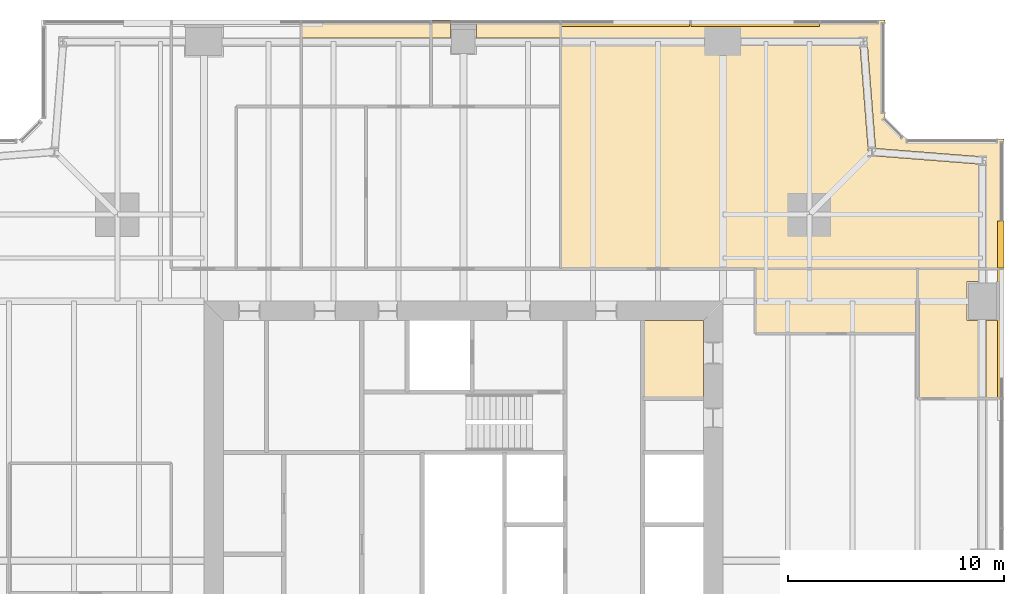
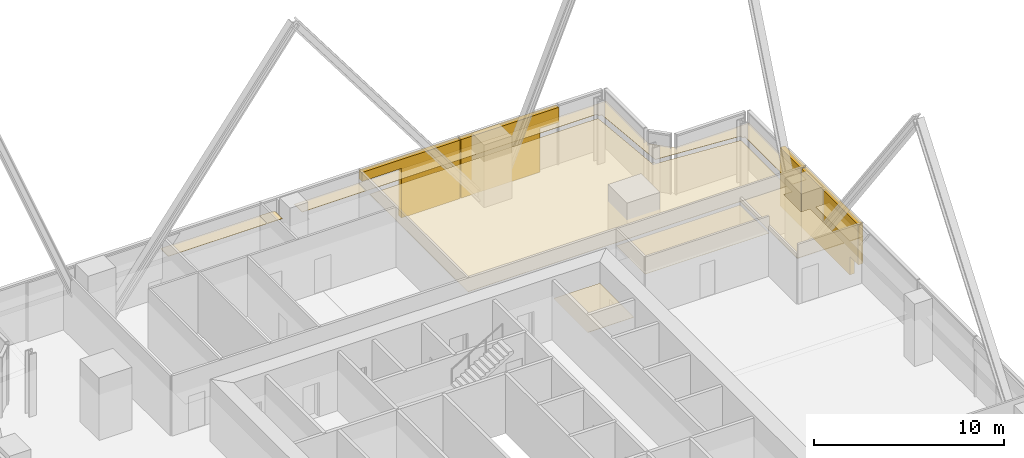
# One storey, part 13 of 13: 13 coverings.
"""IFC4 building model written with IfcOpenShell, lengths in metres."""

from ifc_helpers import new_model, si_unit, direction, frame, origin, place, context, subcontext, project, spatial, polyline, outline, extrude, material, layer, layer_set, type_object, element, save


model = new_model("IFC4")

# Units and contexts
model_context = context("Model", 3, precision=1e-05, world=origin(), true_north=direction((0.0, 1.0)))
body_context = subcontext(model_context, "Body", "Model", "MODEL_VIEW")
ifc_project = project(units=[si_unit("LENGTHUNIT", "METRE"), si_unit("AREAUNIT", "SQUARE_METRE"), si_unit("VOLUMEUNIT", "CUBIC_METRE"), si_unit("PLANEANGLEUNIT", "RADIAN"), si_unit("MASSUNIT", "GRAM", prefix="KILO")], contexts=[model_context])

# Site, building, storey
site_placement = place(None, origin())
site = spatial("IfcSite", under=ifc_project, at=site_placement, CompositionType="ELEMENT")
building_placement = place(site_placement, origin())
building = spatial("IfcBuilding", under=site, at=building_placement, Name="Fenwick Lantern Interchange", CompositionType="ELEMENT")
storey_placement = place(building_placement, frame((0.0, 0.0, 201.800048828125)))
storey = spatial("IfcBuildingStorey", under=building, at=storey_placement, Name="L47", CompositionType="ELEMENT", Elevation=201.800048828125)

# Coverings
ifc_material_1 = material(Name="Mineral fibre acoustic tile on suspended grid")
ifc_layer_1 = layer(ifc_material_1, 0.02001953125)
ifc_layer_set_1 = layer_set([ifc_layer_1], Name="ACOUSTIC TILE CEILING 20")
covering_type_1 = type_object("IfcCoveringType", Name="ACOUSTIC TILE CEILING 20", PredefinedType="CEILING", material=ifc_layer_set_1)
covering_1_placement = place(storey_placement, frame((0.0, 0.0, 2.89990234375)))
element("IfcCovering", 1, at=covering_1_placement, inside=storey, type_object=covering_type_1, Name="Meeting room ceiling", PredefinedType="CEILING", context=body_context, shape_type="SweptSolid", body=[
    extrude(outline(polyline([(46.0, 32.5), (48.82763671875, 32.5), (48.82763671875, 36.10009765625), (48.300048828125, 36.10009765625), (48.300048828125, 37.89990234375), (48.82763671875, 37.89990234375), (48.82763671875, 38.5), (46.0, 38.5), (46.0, 32.5)])), origin(), (0.0, 0.0, 1.0), 0.02001953125),
])
covering_2_placement = place(storey_placement, frame((0.0, 0.0, 2.89990234375)))
element("IfcCovering", 2, at=covering_2_placement, inside=storey, type_object=covering_type_1, Name="Meeting room ceiling", PredefinedType="CEILING", context=body_context, shape_type="SweptSolid", body=[
    extrude(outline(polyline([(49.17236328125, 32.5), (50.0, 32.5), (50.0, 36.10009765625), (49.17236328125, 36.10009765625), (49.17236328125, 32.5)])), origin(), (0.0, 0.0, 1.0), 0.02001953125),
])
covering_3_placement = place(storey_placement, frame((0.0, 0.0, 2.89990234375)))
element("IfcCovering", 3, at=covering_3_placement, inside=storey, type_object=covering_type_1, Name="Meeting room ceiling", PredefinedType="CEILING", context=body_context, shape_type="SweptSolid", body=[
    extrude(outline(polyline([(29.5, 49.17236328125), (29.5, 50.0), (25.60009765625, 50.0), (25.60009765625, 49.17236328125), (29.5, 49.17236328125)])), origin(), (0.0, 0.0, 1.0), 0.02001953125),
])
covering_4_placement = place(storey_placement, frame((0.0, 0.0, 2.89990234375)))
element("IfcCovering", 4, at=covering_4_placement, inside=storey, type_object=covering_type_1, Name="Meeting room ceiling", PredefinedType="CEILING", context=body_context, shape_type="SweptSolid", body=[
    extrude(outline(polyline([(23.5, 50.0), (23.5, 49.17236328125), (24.39990234375, 49.17236328125), (24.39990234375, 50.0), (23.5, 50.0)])), origin(), (0.0, 0.0, 1.0), 0.02001953125),
])
covering_5_placement = place(storey_placement, frame((0.0, 0.0, 2.89990234375)))
element("IfcCovering", 5, at=covering_5_placement, inside=storey, type_object=covering_type_1, Name="Meeting room ceiling", PredefinedType="CEILING", context=body_context, shape_type="SweptSolid", body=[
    extrude(outline(polyline([(17.5, 50.0), (17.5, 49.17236328125), (23.5, 49.17236328125), (23.5, 50.0), (17.5, 50.0)])), origin(), (0.0, 0.0, 1.0), 0.02001953125),
])
covering_6_placement = place(storey_placement, frame((0.0, 0.0, 2.89990234375)))
element("IfcCovering", 6, at=covering_6_placement, inside=storey, type_object=covering_type_1, Name="Open office ceiling", PredefinedType="CEILING", context=body_context, shape_type="SweptSolid", body=[
    extrude(outline(polyline([(29.5, 38.5), (48.82763671875, 38.5), (48.82763671875, 43.340576171875), (43.886474609375, 43.72802734375), (43.89990234375, 43.89990234375), (43.72802734375, 43.886474609375), (43.340576171875, 48.82763671875), (37.0, 48.82763671875), (29.5, 48.82763671875), (29.5, 38.5)])), origin(), (0.0, 0.0, 1.0), 0.02001953125),
])
covering_7_placement = place(storey_placement, frame((0.0, 0.0, 2.89990234375)))
element("IfcCovering", 7, at=covering_7_placement, inside=storey, type_object=covering_type_1, Name="Open office ceiling", PredefinedType="CEILING", context=body_context, shape_type="SweptSolid", body=[
    extrude(outline(polyline([(44.5, 50.0), (29.5, 50.0), (29.5, 49.17236328125), (37.0, 49.17236328125), (43.5, 49.17236328125), (43.5, 49.0), (43.671875, 49.013427734375), (44.060302734375, 44.060302734375), (49.013427734375, 43.671875), (49.0, 43.5), (49.17236328125, 43.5), (49.17236328125, 38.5), (50.0, 38.5), (50.0, 44.5), (45.5, 44.5), (44.5, 45.5), (44.5, 50.0)])), origin(), (0.0, 0.0, 1.0), 0.02001953125),
])
ifc_material_2 = material(Name="Granite cladding, warm grey flamed finish, on aluminium carrier frame", Category="masonry")
ifc_layer_2 = layer(ifc_material_2, 0.300048828125)
ifc_layer_set_2 = layer_set([ifc_layer_2], Name="BRACE CASING PANEL 300")
covering_type_2 = type_object("IfcCoveringType", Name="BRACE CASING PANEL 300", PredefinedType="CLADDING", material=ifc_layer_set_2)
covering_8_placement = place(storey_placement, frame((49.89990234375, 5.60009765625, 0.0), z_axis=(0.0, 0.0, 1.0), x_axis=(0.0, 1.0, 0.0)))
element("IfcCovering", 8, at=covering_8_placement, inside=storey, type_object=covering_type_2, Name="Brace casing 05 bay 05a", PredefinedType="CLADDING", context=body_context, shape_type="SweptSolid", body=[
    extrude(outline(polyline([(27.8125, 0.0), (32.867431640625, 0.0), (32.867431640625, 3.75), (26.9326171875, 3.75), (26.9326171875, 1.17724609375), (27.8125, 1.17724609375), (27.8125, 0.0)])), frame((0.0, 0.2001953125, 0.0), z_axis=(0.0, -1.0, 0.0), x_axis=(1.0, 0.0, 0.0)), (0.0, 0.0, 1.0), 0.300048828125),
])
covering_9_placement = place(storey_placement, frame((49.89990234375, 5.60009765625, 0.0), z_axis=(0.0, 0.0, 1.0), x_axis=(0.0, 1.0, 0.0)))
element("IfcCovering", 9, at=covering_9_placement, inside=storey, type_object=covering_type_2, Name="Brace casing 05 bay 06a", PredefinedType="CLADDING", context=body_context, shape_type="SweptSolid", body=[
    extrude(outline(polyline([(32.9326171875, 0.0), (35.11474609375, 0.0), (35.11474609375, 3.75), (32.9326171875, 3.75), (32.9326171875, 0.0)])), frame((0.0, 0.2001953125, 0.0), z_axis=(0.0, -1.0, 0.0), x_axis=(1.0, 0.0, 0.0)), (0.0, 0.0, 1.0), 0.300048828125),
])
covering_10_placement = place(storey_placement, frame((44.39990234375, 49.89990234375, 0.0), z_axis=(0.0, 0.0, 1.0), x_axis=(-1.0, 0.0, 0.0)))
element("IfcCovering", 10, at=covering_10_placement, inside=storey, type_object=covering_type_2, Name="Brace casing 09 bay 01a", PredefinedType="CLADDING", context=body_context, shape_type="SweptSolid", body=[
    extrude(outline(polyline([(4.072509765625, 0.0), (8.867431640625, 0.0), (8.867431640625, 3.75), (2.9326171875, 3.75), (2.9326171875, 2.80224609375), (4.072509765625, 2.80224609375), (4.072509765625, 0.0)])), frame((0.0, 0.2001953125, 0.0), z_axis=(0.0, -1.0, 0.0), x_axis=(1.0, 0.0, 0.0)), (0.0, 0.0, 1.0), 0.300048828125),
])
covering_11_placement = place(storey_placement, frame((44.39990234375, 49.89990234375, 0.0), z_axis=(0.0, 0.0, 1.0), x_axis=(-1.0, 0.0, 0.0)))
element("IfcCovering", 11, at=covering_11_placement, inside=storey, type_object=covering_type_2, Name="Brace casing 09 bay 02a", PredefinedType="CLADDING", context=body_context, shape_type="SweptSolid", body=[
    extrude(outline(polyline([(8.9326171875, 0.0), (12.484375, 0.0), (12.484375, 3.17333984375), (14.867431640625, 3.17333984375), (14.867431640625, 3.75), (8.9326171875, 3.75), (8.9326171875, 0.0)])), frame((0.0, 0.2001953125, 0.0), z_axis=(0.0, -1.0, 0.0), x_axis=(1.0, 0.0, 0.0)), (0.0, 0.0, 1.0), 0.300048828125),
])
ifc_material_3 = material(Name="Moisture resistant gypsum board on suspended frame, painted")
ifc_layer_3 = layer(ifc_material_3, 0.014892578125)
ifc_layer_set_3 = layer_set([ifc_layer_3], Name="MOISTURE RESISTANT CEILING 15")
covering_type_3 = type_object("IfcCoveringType", Name="MOISTURE RESISTANT CEILING 15", PredefinedType="CEILING", material=ifc_layer_set_3)
covering_12_placement = place(storey_placement, frame((0.0, 0.0, 2.599853515625)))
element("IfcCovering", 12, at=covering_12_placement, inside=storey, type_object=covering_type_3, Name="Accessible WC and shower ceiling", PredefinedType="CEILING", context=body_context, shape_type="SweptSolid", body=[
    extrude(outline(polyline([(36.10009765625, 36.10009765625), (33.300048828125, 36.10009765625), (33.300048828125, 32.5), (36.10009765625, 32.5), (36.10009765625, 36.10009765625)])), origin(), (0.0, 0.0, 1.0), 0.01513671875),
])
covering_13_placement = place(storey_placement, frame((0.0, 0.0, 2.699951171875)))
element("IfcCovering", 13, at=covering_13_placement, inside=storey, type_object=covering_type_3, Name="Pantry ceiling", PredefinedType="CEILING", context=body_context, shape_type="SweptSolid", body=[
    extrude(outline(polyline([(46.0, 35.5), (46.0, 38.5), (38.5, 38.5), (38.5, 35.5), (46.0, 35.5)])), origin(), (0.0, 0.0, 1.0), 0.014892578125),
])

save(model, "model.ifc")
